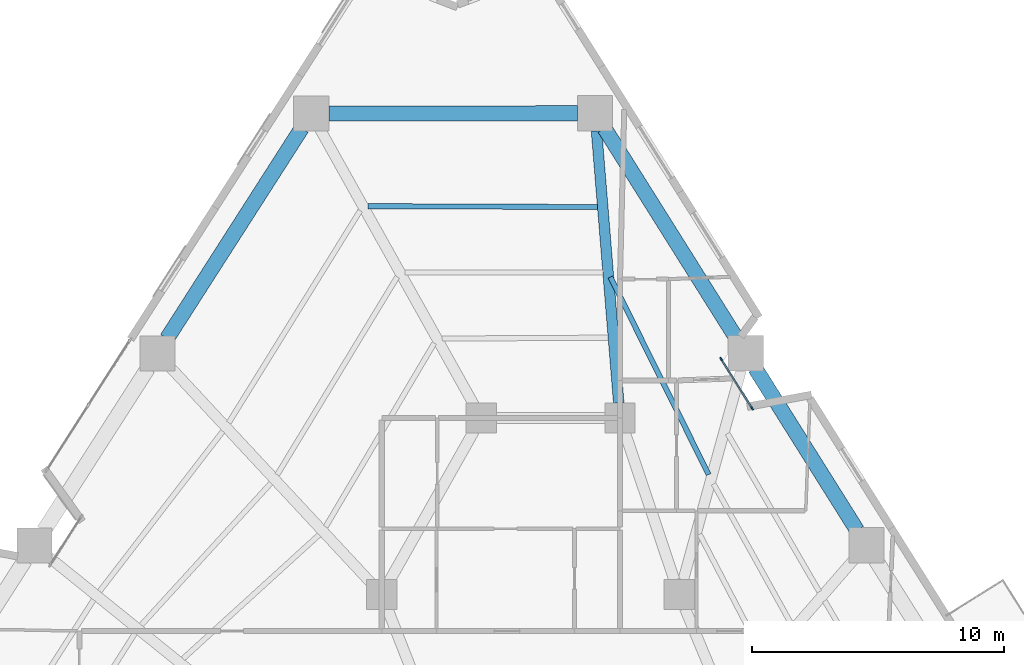
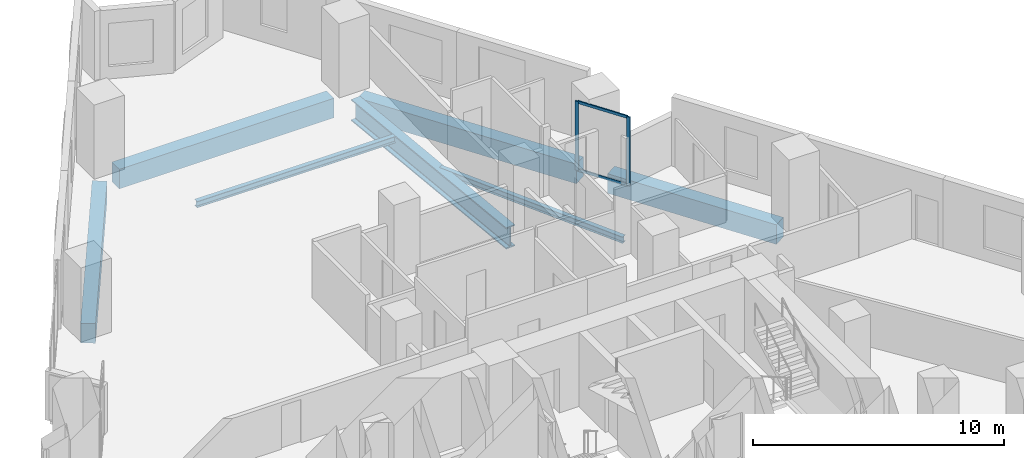
# One storey, part 5 of 13: 7 beams, 4 members, 1 element without a shape of its own.
"""IFC4 building model written with IfcOpenShell, lengths in metres."""

from ifc_helpers import new_model, si_unit, direction, frame, origin, origin_2d, place, context, subcontext, project, spatial, rectangle, i_section, extrude, material, layer, layer_set, material_profile, profile_set, type_object, element, aggregate, save


model = new_model("IFC4")

# Units and contexts
model_context = context("Model", 3, precision=1e-05, world=origin(), true_north=direction((0.0, 1.0)))
body_context = subcontext(model_context, "Body", "Model", "MODEL_VIEW")
ifc_project = project(units=[si_unit("LENGTHUNIT", "METRE"), si_unit("AREAUNIT", "SQUARE_METRE"), si_unit("VOLUMEUNIT", "CUBIC_METRE"), si_unit("PLANEANGLEUNIT", "RADIAN"), si_unit("MASSUNIT", "GRAM", prefix="KILO")], contexts=[model_context])

# Site, building, storey
site_placement = place(None, origin())
site = spatial("IfcSite", under=ifc_project, at=site_placement, CompositionType="ELEMENT")
building_placement = place(site_placement, origin())
building = spatial("IfcBuilding", under=site, at=building_placement, Name="Almagre Mirador Tower", CompositionType="ELEMENT")
storey_placement = place(building_placement, frame((0.0, 0.0, 57.0)))
storey = spatial("IfcBuildingStorey", under=building, at=storey_placement, Name="L13", CompositionType="ELEMENT", Elevation=57.0)

# Beams
ifc_material_1 = material(Name="Steel ASTM A992 Grade 50", Category="steel")
ifc_material_profile_1 = material_profile(ifc_material_1, i_section(OverallWidth=0.205078125, OverallDepth=0.31005859375, WebThickness=0.009521484375, FlangeThickness=0.016357421875, FilletRadius=0.013916015625, at=origin_2d()), Name="W12X50")
ifc_profile_set_1 = profile_set([ifc_material_profile_1], Name="Steel ASTM A992 Grade 50")
beam_type_1 = type_object("IfcBeamType", Name="BM-JST-W12X50", PredefinedType="JOIST", material=ifc_profile_set_1)
beam_1_placement = place(storey_placement, frame((46.368408203125, 23.9580078125, -0.405029296875), z_axis=(-0.445438105918, 0.895312735191, 0.0), x_axis=(-0.895312735191, -0.445438105918, 0.0)))
element("IfcBeam", 1, at=beam_1_placement, inside=storey, type_object=beam_type_1, Name="L13 secondary floor joist PC07-PC08.2", PredefinedType="JOIST", context=body_context, shape_type="SweptSolid", body=[
    extrude(i_section(OverallWidth=0.205078125, OverallDepth=0.31005859375, WebThickness=0.009521484375, FlangeThickness=0.016357421875, FilletRadius=0.013916015625, at=origin_2d()), origin(), (0.0, 0.0, 1.0), 8.749755859375),
])
beam_2_placement = place(storey_placement, frame((41.95654296875, 34.57080078125, -0.405029296875), z_axis=(-0.999993235317, 0.003678222446, 0.0), x_axis=(-0.003678222446, -0.999993235317, 0.0)))
element("IfcBeam", 2, at=beam_2_placement, inside=storey, type_object=beam_type_1, Name="L13 secondary floor joist PC08-PC09.1", PredefinedType="JOIST", context=body_context, shape_type="SweptSolid", body=[
    extrude(i_section(OverallWidth=0.205078125, OverallDepth=0.31005859375, WebThickness=0.009521484375, FlangeThickness=0.016357421875, FilletRadius=0.013916015625, at=origin_2d()), origin(), (0.0, 0.0, 1.0), 9.09326171875),
])
ifc_material_2 = material(Name="Precast concrete C50/60", Category="concrete")
ifc_material_profile_2 = material_profile(ifc_material_2, rectangle(XDim=0.60009765625, YDim=0.949951171875, at=origin_2d()), Name="RC600X950")
ifc_profile_set_2 = profile_set([ifc_material_profile_2], Name="Precast concrete C50/60")
beam_type_2 = type_object("IfcBeamType", Name="BM-SPN-RC600X950", PredefinedType="SPANDREL", material=ifc_profile_set_2)
beam_3_placement = place(storey_placement, frame((52.253662109375, 21.746826171875, -0.72509765625), z_axis=(-0.531919345601, 0.84679502229, 0.0), x_axis=(-0.84679502229, -0.531919345601, 0.0)))
element("IfcBeam", 3, at=beam_3_placement, inside=storey, type_object=beam_type_2, Name="L13 perimeter spandrel beam PC06-PC07", PredefinedType="SPANDREL", context=body_context, shape_type="SweptSolid", body=[
    extrude(rectangle(XDim=0.60009765625, YDim=0.949951171875, at=origin_2d()), origin(), (0.0, 0.0, 1.0), 7.59375),
])
beam_4_placement = place(storey_placement, frame((47.4697265625, 29.36279296875, -0.72509765625), z_axis=(-0.531919552243, 0.846794892487, 0.0), x_axis=(-0.846794892487, -0.531919552243, 0.0)))
element("IfcBeam", 4, at=beam_4_placement, inside=storey, type_object=beam_type_2, Name="L13 perimeter spandrel beam PC07-PC08", PredefinedType="SPANDREL", context=body_context, shape_type="SweptSolid", body=[
    extrude(rectangle(XDim=0.60009765625, YDim=0.949951171875, at=origin_2d()), origin(), (0.0, 0.0, 1.0), 9.84228515625),
])
beam_5_placement = place(storey_placement, frame((41.162109375, 38.289306640625, -0.72509765625), z_axis=(-0.999999686228, -0.000792177001, 0.0), x_axis=(0.000792177001, -0.999999686228, 0.0)))
element("IfcBeam", 5, at=beam_5_placement, inside=storey, type_object=beam_type_2, Name="L13 perimeter spandrel beam PC08-PC09", PredefinedType="SPANDREL", context=body_context, shape_type="SweptSolid", body=[
    extrude(rectangle(XDim=0.60009765625, YDim=0.949951171875, at=origin_2d()), origin(), (0.0, 0.0, 1.0), 9.862060546875),
])
beam_6_placement = place(storey_placement, frame((30.222412109375, 37.691650390625, -0.72509765625), z_axis=(-0.539503978712, -0.841983050277, 0.0), x_axis=(0.841983050277, -0.539503978712, 0.0)))
element("IfcBeam", 6, at=beam_6_placement, inside=storey, type_object=beam_type_2, Name="L13 perimeter spandrel beam PC09-PC10", PredefinedType="SPANDREL", context=body_context, shape_type="SweptSolid", body=[
    extrude(rectangle(XDim=0.60009765625, YDim=0.949951171875, at=origin_2d()), origin(), (0.0, 0.0, 1.0), 9.90673828125),
])
ifc_material_3 = material(Name="Steel ASTM A913 Grade 65", Category="steel")
ifc_material_profile_3 = material_profile(ifc_material_3, i_section(OverallWidth=0.4189453125, OverallDepth=1.041015625, WebThickness=0.031005859375, FlangeThickness=0.055908203125, FilletRadius=0.030029296875, at=origin_2d()), Name="W40X397")
ifc_profile_set_3 = profile_set([ifc_material_profile_3], Name="Steel ASTM A913 Grade 65")
beam_type_3 = type_object("IfcBeamType", Name="BM-STL-W40X397", PredefinedType="BEAM", material=ifc_profile_set_3)
beam_7_placement = place(storey_placement, frame((41.9189453125, 37.59228515625, -0.7705078125), z_axis=(0.081446555718, -0.996677710477, 0.0), x_axis=(0.996677710477, 0.081446555718, 0.0)))
element("IfcBeam", 7, at=beam_7_placement, inside=storey, type_object=beam_type_3, Name="L13 radial floor girder PC08-MC6", PredefinedType="BEAM", context=body_context, shape_type="SweptSolid", body=[
    extrude(i_section(OverallWidth=0.4189453125, OverallDepth=1.041015625, WebThickness=0.031005859375, FlangeThickness=0.055908203125, FilletRadius=0.030029296875, at=origin_2d()), origin(), (0.0, 0.0, 1.0), 10.830078125),
])

# Curtain wall, members
ifc_material_4 = material(Name="Black anodized aluminium", Category="aluminium")
ifc_layer = layer(ifc_material_4, 0.169921875)
ifc_layer_set = layer_set([ifc_layer], Name="Black anodized aluminium")
curtain_wall_type = type_object("IfcCurtainWallType", Name="CW-CRS-SYS", PredefinedType="NOTDEFINED", material=ifc_layer_set)
curtain_wall_placement = place(storey_placement, origin())
curtain_wall = element("IfcCurtainWall", 8, at=curtain_wall_placement, inside=storey, type_object=curtain_wall_type, Name="L13 vertical crease curtain wall 03", PredefinedType="NOTDEFINED")
ifc_material_5 = material(Name="Black anodized aluminium", Category="aluminium")
ifc_material_profile_4 = material_profile(ifc_material_5, rectangle(XDim=0.06005859375, YDim=0.14990234375, at=origin_2d()), Name="CWM60X150")
ifc_profile_set_4 = profile_set([ifc_material_profile_4], Name="Black anodized aluminium")
member_type_1 = type_object("IfcMemberType", Name="MBR-CWM60X150", PredefinedType="MULLION", material=ifc_profile_set_4)
member_1_placement = place(storey_placement, frame((46.865478515625, 28.5380859375, 0.0), z_axis=(0.0, 0.0, 1.0), x_axis=(0.8467397231, 0.532007369615, 0.0)))
member_1 = element("IfcMember", 9, at=member_1_placement, type_object=member_type_1, Name="CW-4 mullion 1", PredefinedType="MULLION", context=body_context, shape_type="SweptSolid", body=[
    extrude(rectangle(XDim=0.06005859375, YDim=0.14990234375, at=origin_2d()), origin(), (0.0, 0.0, 1.0), 3.35009765625),
])
member_2_placement = place(storey_placement, frame((48.094482421875, 26.581787109375, 0.0), z_axis=(0.0, 0.0, 1.0), x_axis=(0.8467397231, 0.532007369615, 0.0)))
member_2 = element("IfcMember", 10, at=member_2_placement, type_object=member_type_1, Name="CW-4 mullion 2", PredefinedType="MULLION", context=body_context, shape_type="SweptSolid", body=[
    extrude(rectangle(XDim=0.06005859375, YDim=0.14990234375, at=origin_2d()), origin(), (0.0, 0.0, 1.0), 3.35009765625),
])
ifc_material_6 = material(Name="Black anodized aluminium", Category="aluminium")
ifc_material_profile_5 = material_profile(ifc_material_6, rectangle(XDim=0.06005859375, YDim=0.1298828125, at=origin_2d()), Name="CWT60X130")
ifc_profile_set_5 = profile_set([ifc_material_profile_5], Name="Black anodized aluminium")
member_type_2 = type_object("IfcMemberType", Name="MBR-CWT60X130", PredefinedType="USERDEFINED", material=ifc_profile_set_5)
member_3_placement = place(storey_placement, frame((46.88134765625, 28.5126953125, 0.030029296875), z_axis=(0.532064885962, -0.8467035828, 0.0), x_axis=(0.8467035828, 0.532064885962, 0.0)))
member_3 = element("IfcMember", 11, at=member_3_placement, type_object=member_type_2, Name="CW-4 transom 1.1", ObjectType="TRANSOM", PredefinedType="USERDEFINED", context=body_context, shape_type="SweptSolid", body=[
    extrude(rectangle(XDim=0.06005859375, YDim=0.1298828125, at=origin_2d()), origin(), (0.0, 0.0, 1.0), 2.250244140625),
])
member_4_placement = place(storey_placement, frame((46.88134765625, 28.5126953125, 3.320068359375), z_axis=(0.532064885962, -0.8467035828, 0.0), x_axis=(0.8467035828, 0.532064885962, 0.0)))
member_4 = element("IfcMember", 12, at=member_4_placement, type_object=member_type_2, Name="CW-4 transom 1.2", ObjectType="TRANSOM", PredefinedType="USERDEFINED", context=body_context, shape_type="SweptSolid", body=[
    extrude(rectangle(XDim=0.06005859375, YDim=0.1298828125, at=origin_2d()), origin(), (0.0, 0.0, 1.0), 2.250244140625),
])
aggregate(curtain_wall, [member_1, member_2, member_3, member_4])

save(model, "model.ifc")
